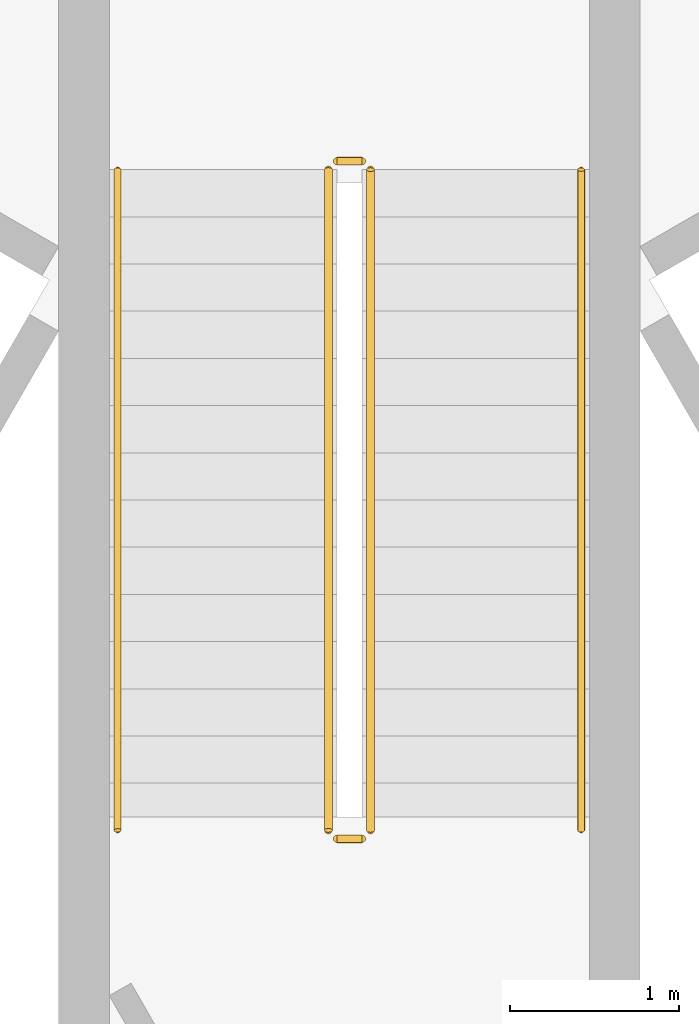
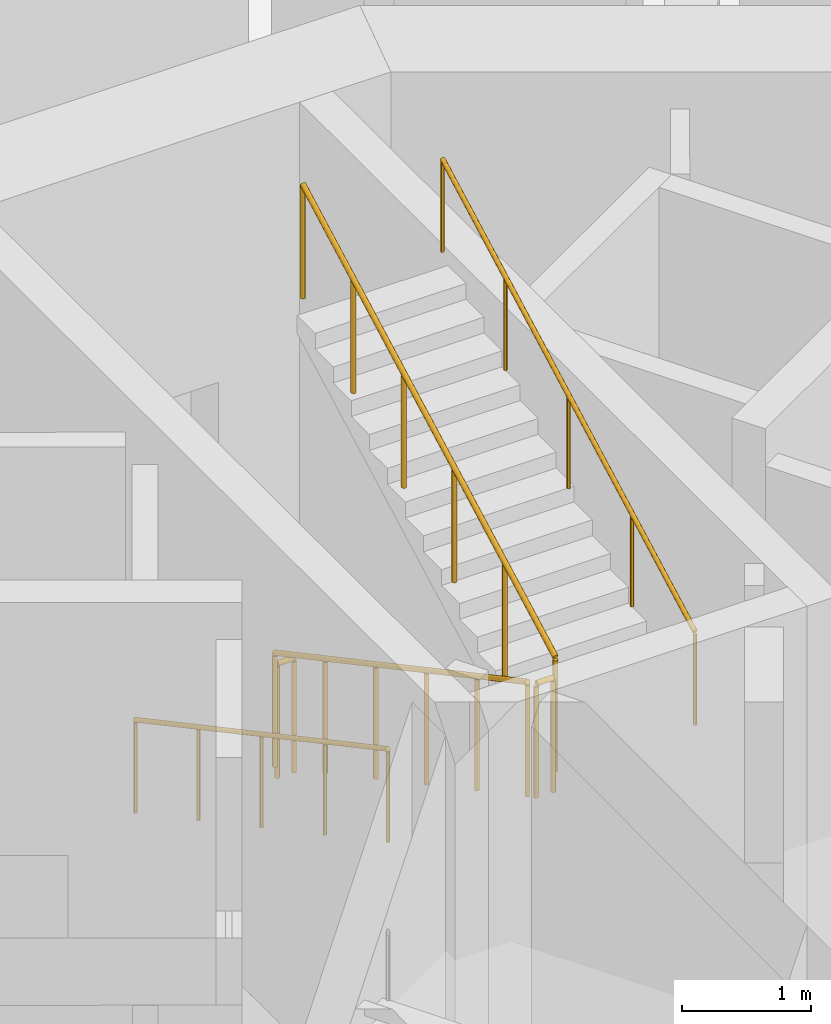
# One storey, part 21 of 23: 6 railings.
"""IFC4 building model written with IfcOpenShell, lengths in metres."""

from ifc_helpers import new_model, si_unit, direction, frame, origin, origin_2d, place, context, subcontext, project, spatial, circle, extrude, material, type_object, element, save


model = new_model("IFC4")

# Units and contexts
model_context = context("Model", 3, precision=1e-05, world=origin(), true_north=direction((0.0, 1.0)))
body_context = subcontext(model_context, "Body", "Model", "MODEL_VIEW")
ifc_project = project(units=[si_unit("LENGTHUNIT", "METRE"), si_unit("AREAUNIT", "SQUARE_METRE"), si_unit("VOLUMEUNIT", "CUBIC_METRE"), si_unit("PLANEANGLEUNIT", "RADIAN"), si_unit("MASSUNIT", "GRAM", prefix="KILO")], contexts=[model_context])

# Site, building, storey
site_placement = place(None, origin())
site = spatial("IfcSite", under=ifc_project, at=site_placement, CompositionType="ELEMENT")
building_placement = place(site_placement, origin())
building = spatial("IfcBuilding", under=site, at=building_placement, Name="Trine Commons Tower", CompositionType="ELEMENT")
storey_placement = place(building_placement, frame((0.0, 0.0, 156.60009765625)))
storey = spatial("IfcBuildingStorey", under=building, at=storey_placement, Name="L40", CompositionType="ELEMENT", Elevation=156.60009765625)

# Railings
ifc_material_1 = material(Name="Stainless steel balustrade", Category="steel")
railing_type_1 = type_object("IfcRailingType", Name="Stair guard, steel balustrade 1100", PredefinedType="GUARDRAIL", material=ifc_material_1)
railing_1_placement = place(storey_placement, frame((79.875, 68.570556640625, 0.14990234375)))
element("IfcRailing", 1, at=railing_1_placement, inside=storey, type_object=railing_type_1, Name="L40 ST1B stair guard 1", PredefinedType="GUARDRAIL", context=body_context, shape_type="SweptSolid", body=[
    extrude(circle(Radius=0.02392578125, at=origin_2d()), frame((0.0, 0.0, 1.076171875), z_axis=(0.0, -0.881466911329, 0.472245787945), x_axis=(1.0, 0.0, 0.0)), (0.0, 0.0, 1.0), 4.447021484375),
    extrude(circle(Radius=0.02099609375, at=origin_2d()), origin(), (0.0, 0.0, 1.0), 1.052001953125),
    extrude(circle(Radius=0.02099609375, at=origin_2d()), frame((0.0, -0.783935546875, 0.419921875)), (0.0, 0.0, 1.0), 1.052001953125),
    extrude(circle(Radius=0.02099609375, at=origin_2d()), frame((0.0, -1.56787109375, 0.840087890625)), (0.0, 0.0, 1.0), 1.052001953125),
    extrude(circle(Radius=0.02099609375, at=origin_2d()), frame((0.0, -2.35205078125, 1.260009765625)), (0.0, 0.0, 1.0), 1.052001953125),
    extrude(circle(Radius=0.02099609375, at=origin_2d()), frame((0.0, -3.135986328125, 1.68017578125)), (0.0, 0.0, 1.0), 1.052001953125),
    extrude(circle(Radius=0.02099609375, at=origin_2d()), frame((0.0, -3.919921875, 2.10009765625)), (0.0, 0.0, 1.0), 1.052001953125),
])
railing_2_placement = place(storey_placement, frame((79.925048828125, 64.6005859375, 2.25)))
element("IfcRailing", 2, at=railing_2_placement, inside=storey, type_object=railing_type_1, Name="L40 ST1B stair guard 2", PredefinedType="GUARDRAIL", context=body_context, shape_type="SweptSolid", body=[
    extrude(circle(Radius=0.02392578125, at=origin_2d()), frame((0.0, 0.0, 1.076171875), z_axis=(1.0, 0.0, 0.0), x_axis=(0.0, 1.0, 0.0)), (0.0, 0.0, 1.0), 0.14990234375),
    extrude(circle(Radius=0.02099609375, at=origin_2d()), origin(), (0.0, 0.0, 1.0), 1.052001953125),
    extrude(circle(Radius=0.02099609375, at=origin_2d()), frame((0.14990234375, 0.0, 0.0)), (0.0, 0.0, 1.0), 1.052001953125),
])
railing_3_placement = place(storey_placement, frame((80.125, 64.650634765625, 2.39990234375)))
element("IfcRailing", 3, at=railing_3_placement, inside=storey, type_object=railing_type_1, Name="L40 ST1B stair guard 3", PredefinedType="GUARDRAIL", context=body_context, shape_type="SweptSolid", body=[
    extrude(circle(Radius=0.02392578125, at=origin_2d()), frame((0.0, 0.0, 1.076171875), z_axis=(0.0, 0.881466911329, 0.472245787945), x_axis=(-1.0, 0.0, 0.0)), (0.0, 0.0, 1.0), 4.447021484375),
    extrude(circle(Radius=0.02099609375, at=origin_2d()), origin(), (0.0, 0.0, 1.0), 1.052001953125),
    extrude(circle(Radius=0.02099609375, at=origin_2d()), frame((0.0, 0.783935546875, 0.419921875)), (0.0, 0.0, 1.0), 1.052001953125),
    extrude(circle(Radius=0.02099609375, at=origin_2d()), frame((0.0, 1.56787109375, 0.840087890625)), (0.0, 0.0, 1.0), 1.052001953125),
    extrude(circle(Radius=0.02099609375, at=origin_2d()), frame((0.0, 2.35205078125, 1.260009765625)), (0.0, 0.0, 1.0), 1.052001953125),
    extrude(circle(Radius=0.02099609375, at=origin_2d()), frame((0.0, 3.135986328125, 1.68017578125)), (0.0, 0.0, 1.0), 1.052001953125),
    extrude(circle(Radius=0.02099609375, at=origin_2d()), frame((0.0, 3.919921875, 2.10009765625)), (0.0, 0.0, 1.0), 1.052001953125),
])
railing_4_placement = place(storey_placement, frame((79.925048828125, 68.62060546875, 0.0)))
element("IfcRailing", 4, at=railing_4_placement, inside=storey, type_object=railing_type_1, Name="L40 ST1B stair guard 4", PredefinedType="GUARDRAIL", context=body_context, shape_type="SweptSolid", body=[
    extrude(circle(Radius=0.02392578125, at=origin_2d()), frame((0.0, 0.0, 1.076171875), z_axis=(1.0, 0.0, 0.0), x_axis=(0.0, 1.0, 0.0)), (0.0, 0.0, 1.0), 0.14990234375),
    extrude(circle(Radius=0.02099609375, at=origin_2d()), origin(), (0.0, 0.0, 1.0), 1.052001953125),
    extrude(circle(Radius=0.02099609375, at=origin_2d()), frame((0.14990234375, 0.0, 0.0)), (0.0, 0.0, 1.0), 1.052001953125),
])
ifc_material_2 = material(Name="Stainless steel handrail", Category="steel")
railing_type_2 = type_object("IfcRailingType", Name="Stair handrail, steel 900", PredefinedType="HANDRAIL", material=ifc_material_2)
railing_5_placement = place(storey_placement, frame((78.625, 68.570556640625, 0.14990234375)))
element("IfcRailing", 5, at=railing_5_placement, inside=storey, type_object=railing_type_2, Name="L40 ST1B stair handrail 1", PredefinedType="HANDRAIL", context=body_context, shape_type="SweptSolid", body=[
    extrude(circle(Radius=0.02099609375, at=origin_2d()), frame((0.0, 0.0, 0.87890625), z_axis=(0.0, -0.881466911329, 0.472245787945), x_axis=(1.0, 0.0, 0.0)), (0.0, 0.0, 1.0), 4.447021484375),
    extrude(circle(Radius=0.01513671875, at=origin_2d()), origin(), (0.0, 0.0, 1.0), 0.85791015625),
    extrude(circle(Radius=0.01513671875, at=origin_2d()), frame((0.0, -0.97998046875, 0.52490234375)), (0.0, 0.0, 1.0), 0.85791015625),
    extrude(circle(Radius=0.01513671875, at=origin_2d()), frame((0.0, -1.9599609375, 1.050048828125)), (0.0, 0.0, 1.0), 0.85791015625),
    extrude(circle(Radius=0.01513671875, at=origin_2d()), frame((0.0, -2.93994140625, 1.5751953125)), (0.0, 0.0, 1.0), 0.85791015625),
    extrude(circle(Radius=0.01513671875, at=origin_2d()), frame((0.0, -3.919921875, 2.10009765625)), (0.0, 0.0, 1.0), 0.85791015625),
])
railing_6_placement = place(storey_placement, frame((81.375, 64.650634765625, 2.39990234375)))
element("IfcRailing", 6, at=railing_6_placement, inside=storey, type_object=railing_type_2, Name="L40 ST1B stair handrail 2", PredefinedType="HANDRAIL", context=body_context, shape_type="SweptSolid", body=[
    extrude(circle(Radius=0.02099609375, at=origin_2d()), frame((0.0, 0.0, 0.87890625), z_axis=(0.0, 0.881466911329, 0.472245787945), x_axis=(-1.0, 0.0, 0.0)), (0.0, 0.0, 1.0), 4.447021484375),
    extrude(circle(Radius=0.01513671875, at=origin_2d()), origin(), (0.0, 0.0, 1.0), 0.85791015625),
    extrude(circle(Radius=0.01513671875, at=origin_2d()), frame((0.0, 0.97998046875, 0.52490234375)), (0.0, 0.0, 1.0), 0.85791015625),
    extrude(circle(Radius=0.01513671875, at=origin_2d()), frame((0.0, 1.9599609375, 1.050048828125)), (0.0, 0.0, 1.0), 0.85791015625),
    extrude(circle(Radius=0.01513671875, at=origin_2d()), frame((0.0, 2.93994140625, 1.5751953125)), (0.0, 0.0, 1.0), 0.85791015625),
    extrude(circle(Radius=0.01513671875, at=origin_2d()), frame((0.0, 3.919921875, 2.10009765625)), (0.0, 0.0, 1.0), 0.85791015625),
])

save(model, "model.ifc")
